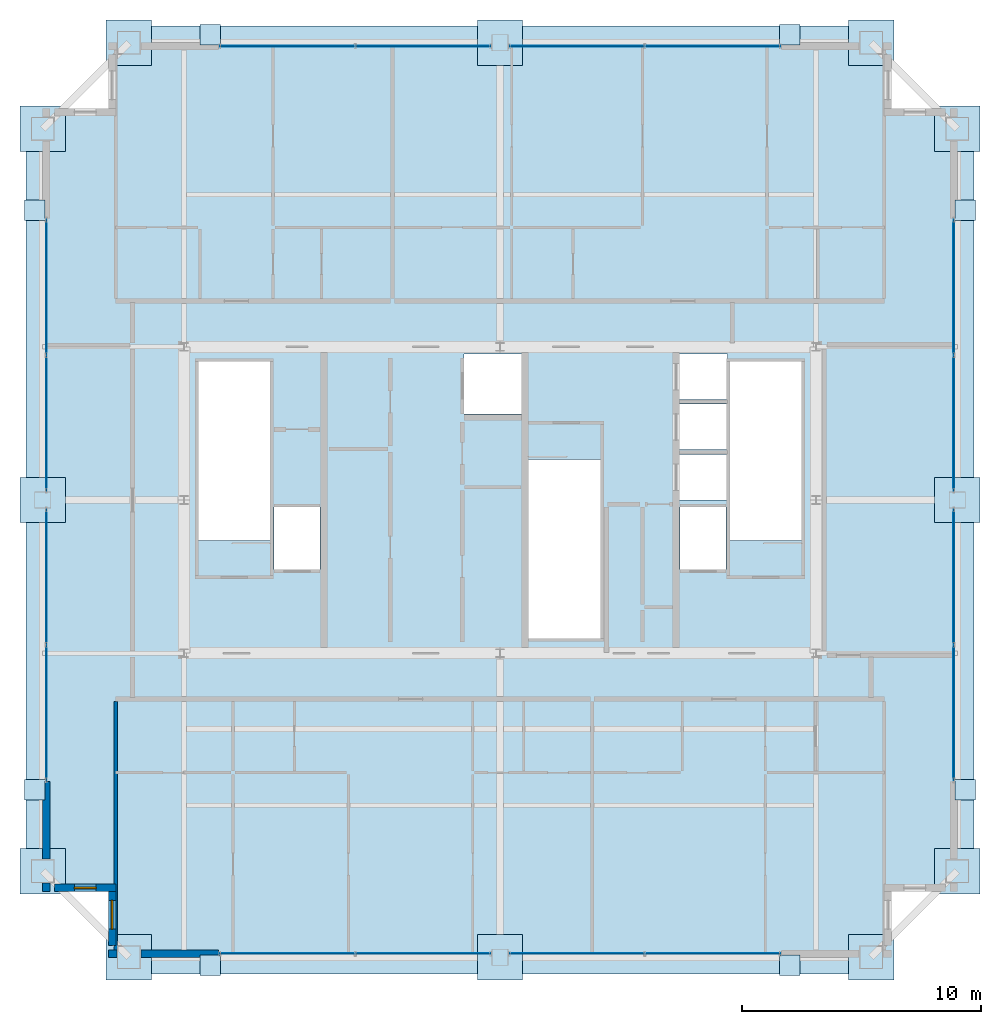
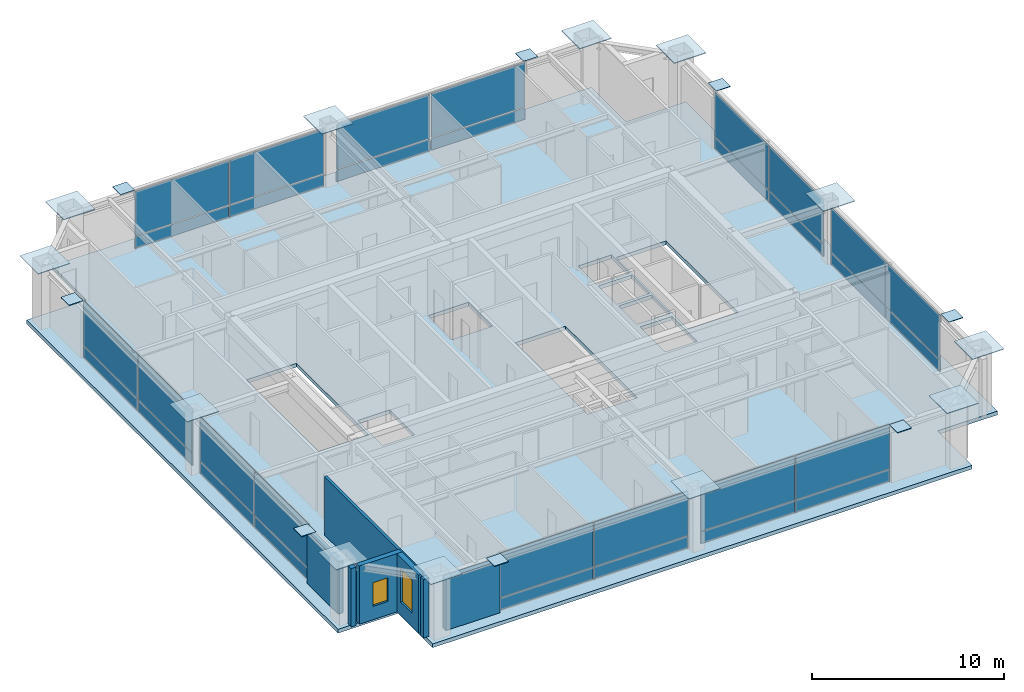
# One storey, part 29 of 34: 52 plates, 7 walls, 2 windows, 1 slab, 2 openings, 8 elements without a shape of their own.
"""IFC4 building model written with IfcOpenShell, lengths in metres."""

from ifc_helpers import new_model, si_unit, direction, frame, frame_2d, origin, origin_2d, place, context, subcontext, project, spatial, polyline, rectangle, outline, extrude, source, transform, mapped, material, layer, layer_set, type_object, element, fill, aggregate, save


model = new_model("IFC4")

# Units and contexts
model_context = context("Model", 3, precision=1e-05, world=origin(), true_north=direction((0.0, 1.0)))
body_context = subcontext(model_context, "Body", "Model", "MODEL_VIEW")
ifc_project = project(units=[si_unit("LENGTHUNIT", "METRE"), si_unit("AREAUNIT", "SQUARE_METRE"), si_unit("VOLUMEUNIT", "CUBIC_METRE"), si_unit("PLANEANGLEUNIT", "RADIAN"), si_unit("MASSUNIT", "GRAM", prefix="KILO"), si_unit("THERMODYNAMICTEMPERATUREUNIT", "KELVIN"), si_unit("POWERUNIT", "WATT")], contexts=[model_context])

# Site, building, storey
site_placement = place(None, origin())
site = spatial("IfcSite", under=ifc_project, at=site_placement, CompositionType="ELEMENT")
building_placement = place(site_placement, origin())
building = spatial("IfcBuilding", under=site, at=building_placement, Name="Yuzanri Waterfront Tower", CompositionType="ELEMENT")
storey_placement = place(building_placement, frame((0.0, 0.0, 347.199951171875)))
storey = spatial("IfcBuildingStorey", under=building, at=storey_placement, Name="L93", CompositionType="ELEMENT", Elevation=347.199951171875)

# Slab
ifc_material_1 = material(Name="Concrete C40", Category="concrete")
ifc_layer_1 = layer(ifc_material_1, 0.239990234375)
ifc_layer_set_1 = layer_set([ifc_layer_1], Name="Concrete C40")
slab_type = type_object("IfcSlabType", Name="Concrete C40 Penthouse Acoustic Structural Floor Slab 240", PredefinedType="FLOOR", material=ifc_layer_set_1)
slab_placement = place(storey_placement, frame((0.0, 0.0, -0.239990234375)))
element("IfcSlab", 1, at=slab_placement, inside=storey, type_object=slab_type, Name="L93 Main Structural Floor Slab", PredefinedType="FLOOR", context=body_context, shape_type="SweptSolid", body=[
    extrude(outline(polyline([(20.800048828125, 6.0), (53.199951171875, 6.0), (53.199951171875, 9.60009765625), (56.800048828125, 9.60009765625), (56.800048828125, 42.0), (53.199951171875, 42.0), (53.199951171875, 45.60009765625), (20.800048828125, 45.60009765625), (20.800048828125, 42.0), (17.199951171875, 42.0), (17.199951171875, 9.60009765625), (20.800048828125, 9.60009765625), (20.800048828125, 6.0)]), holes=[polyline([(27.39990234375, 24.10009765625), (27.39990234375, 31.580078125), (24.39990234375, 31.580078125), (24.39990234375, 24.10009765625), (27.39990234375, 24.10009765625)]), polyline([(49.60009765625, 24.10009765625), (49.60009765625, 31.580078125), (46.60009765625, 31.580078125), (46.60009765625, 24.10009765625), (49.60009765625, 24.10009765625)]), polyline([(38.199951171875, 27.5), (38.199951171875, 20.02001953125), (41.199951171875, 20.02001953125), (41.199951171875, 27.5), (38.199951171875, 27.5)]), polyline([(27.56005859375, 22.89990234375), (29.47998046875, 22.89990234375), (29.47998046875, 25.5), (27.56005859375, 25.5), (27.56005859375, 22.89990234375)]), polyline([(44.52001953125, 22.89990234375), (46.43994140625, 22.89990234375), (46.43994140625, 25.5), (44.52001953125, 25.5), (44.52001953125, 22.89990234375)]), polyline([(35.5, 29.39990234375), (37.89990234375, 29.39990234375), (37.89990234375, 31.89990234375), (35.5, 31.89990234375), (35.5, 29.39990234375)]), polyline([(44.5, 25.800048828125), (46.5, 25.800048828125), (46.5, 27.699951171875), (44.5, 27.699951171875), (44.5, 25.800048828125)]), polyline([(44.5, 27.89990234375), (46.5, 27.89990234375), (46.5, 29.800048828125), (44.5, 29.800048828125), (44.5, 27.89990234375)]), polyline([(44.5, 30.0), (46.5, 30.0), (46.5, 31.89990234375), (44.5, 31.89990234375), (44.5, 30.0)])]), origin(), (0.0, 0.0, 1.0), 0.239990234375),
])

# Plates
ifc_material_2 = material(Name="Steel Q420GJC", Category="steel")
ifc_layer_2 = layer(ifc_material_2, 0.044921875)
ifc_layer_set_2 = layer_set([ifc_layer_2], Name="Steel Q420GJC")
plate_type_1 = type_object("IfcPlateType", Name="Steel Q420GJC Setback Column-Transfer Diaphragm Cap Plate 45", PredefinedType="SHEET", material=ifc_layer_set_2)
shared_shape_1 = source(origin(), body_context, "Body", "SweptSolid", [
    extrude(rectangle(XDim=1.89990234375, YDim=1.89990234375, at=origin_2d()), origin(), (0.0, 0.0, 1.0), 0.044921875),
])
for number, where, z_axis, x_axis, name in (
    (2, (21.5, 6.699951171875, 3.9775390625), (0.0, 0.0, 1.0), (1.0, 0.0, 0.0), "L93 Column Top Closure Plate S1"),
    (3, (37.0, 6.699951171875, 3.9775390625), (0.0, 0.0, 1.0), (1.0, 0.0, 0.0), "L93 Column Top Closure Plate S2"),
    (4, (52.5, 6.699951171875, 3.9775390625), (0.0, 0.0, 1.0), (1.0, 0.0, 0.0), "L93 Column Top Closure Plate S3"),
    (5, (21.5, 44.89990234375, 3.9775390625), (0.0, 0.0, 1.0), (1.0, 0.0, 0.0), "L93 Column Top Closure Plate N1"),
    (6, (37.0, 44.89990234375, 3.9775390625), (0.0, 0.0, 1.0), (1.0, 0.0, 0.0), "L93 Column Top Closure Plate N2"),
    (7, (52.5, 44.89990234375, 3.9775390625), (0.0, 0.0, 1.0), (1.0, 0.0, 0.0), "L93 Column Top Closure Plate N3"),
    (8, (17.89990234375, 10.300048828125, 3.9775390625), (0.0, 0.0, 1.0), (1.0, 0.0, 0.0), "L93 Column Top Closure Plate W1"),
    (9, (17.89990234375, 25.800048828125, 3.9775390625), (0.0, 0.0, 1.0), (1.0, 0.0, 0.0), "L93 Column Top Closure Plate W2"),
    (10, (17.89990234375, 41.300048828125, 3.9775390625), (0.0, 0.0, 1.0), (1.0, 0.0, 0.0), "L93 Column Top Closure Plate W3"),
    (11, (56.10009765625, 10.300048828125, 3.9775390625), (0.0, 0.0, 1.0), (1.0, 0.0, 0.0), "L93 Column Top Closure Plate E1"),
    (12, (56.10009765625, 25.800048828125, 3.9775390625), (0.0, 0.0, 1.0), (1.0, 0.0, 0.0), "L93 Column Top Closure Plate E2"),
    (13, (56.10009765625, 41.300048828125, 3.9775390625), (0.0, 0.0, 1.0), (1.0, 0.0, 0.0), "L93 Column Top Closure Plate E3"),
):
    element("IfcPlate", number, at=place(storey_placement, frame(where, z_axis=z_axis, x_axis=x_axis)), inside=storey, type_object=plate_type_1, Name=name, PredefinedType="SHEET", context=body_context, shape_type="MappedRepresentation", body=[
        mapped(shared_shape_1, transform((0.0, 0.0, 0.0), scale=1.0)),
    ])
ifc_material_3 = material(Name="Steel Q420GJC", Category="steel")
ifc_layer_3 = layer(ifc_material_3, 0.0400390625)
ifc_layer_set_3 = layer_set([ifc_layer_3], Name="Steel Q420GJC")
plate_type_2 = type_object("IfcPlateType", Name="Steel Q420GJC Mega-Brace Gusset and End-Cap Plate 40", PredefinedType="SHEET", material=ifc_layer_set_3)
shared_shape_2 = source(origin(), body_context, "Body", "SweptSolid", [
    extrude(rectangle(XDim=0.85009765625, YDim=0.85009765625, at=origin_2d()), origin(), (0.0, 0.0, 1.0), 0.0400390625),
])
for number, where, z_axis, x_axis, name in (
    (14, (24.89990234375, 6.360107421875, 3.659912109375), (0.0, 0.0, 1.0), (1.0, 0.0, 0.0), "L93 Mega-Brace Apex Cap Plate S-L"),
    (15, (49.10009765625, 6.360107421875, 3.659912109375), (0.0, 0.0, 1.0), (1.0, 0.0, 0.0), "L93 Mega-Brace Apex Cap Plate S-R"),
    (16, (24.89990234375, 45.239990234375, 3.659912109375), (0.0, 0.0, 1.0), (1.0, 0.0, 0.0), "L93 Mega-Brace Apex Cap Plate N-L"),
    (17, (49.10009765625, 45.239990234375, 3.659912109375), (0.0, 0.0, 1.0), (1.0, 0.0, 0.0), "L93 Mega-Brace Apex Cap Plate N-R"),
    (18, (17.56005859375, 13.699951171875, 3.659912109375), (0.0, 0.0, 1.0), (1.0, 0.0, 0.0), "L93 Mega-Brace Apex Cap Plate W-L"),
    (19, (17.56005859375, 37.89990234375, 3.659912109375), (0.0, 0.0, 1.0), (1.0, 0.0, 0.0), "L93 Mega-Brace Apex Cap Plate W-R"),
    (20, (56.43994140625, 13.699951171875, 3.659912109375), (0.0, 0.0, 1.0), (1.0, 0.0, 0.0), "L93 Mega-Brace Apex Cap Plate E-L"),
    (21, (56.43994140625, 37.89990234375, 3.659912109375), (0.0, 0.0, 1.0), (1.0, 0.0, 0.0), "L93 Mega-Brace Apex Cap Plate E-R"),
):
    element("IfcPlate", number, at=place(storey_placement, frame(where, z_axis=z_axis, x_axis=x_axis)), inside=storey, type_object=plate_type_2, Name=name, PredefinedType="SHEET", context=body_context, shape_type="MappedRepresentation", body=[
        mapped(shared_shape_2, transform((0.0, 0.0, 0.0), scale=1.0)),
    ])

# Curtain wall, plates
ifc_material_4 = material(Name="Anodized Architectural Bronze", Category="metal")
ifc_layer_4 = layer(ifc_material_4, 0.159912109375)
ifc_layer_set_4 = layer_set([ifc_layer_4], Name="Anodized Architectural Bronze")
curtain_wall_type = type_object("IfcCurtainWallType", Name="Anodized Bronze High-Rise Penthouse High-Wind Unitized Curtain Wall 6900", PredefinedType="NOTDEFINED", material=ifc_layer_set_4)
curtain_wall_1_placement = place(storey_placement, origin())
curtain_wall_1 = element("IfcCurtainWall", 22, at=curtain_wall_1_placement, inside=storey, type_object=curtain_wall_type, Name="L93 Curtain Wall CW-L93-SL", PredefinedType="NOTDEFINED")
ifc_material_5 = material(Name="Anodized Architectural Bronze", Category="metal")
ifc_layer_5 = layer(ifc_material_5, 0.028076171875)
ifc_layer_set_5 = layer_set([ifc_layer_5], Name="Anodized Architectural Bronze")
plate_type_3 = type_object("IfcPlateType", Name="Bronze Insulated Spandrel Shadow-Box Panel 28", PredefinedType="CURTAIN_PANEL", material=ifc_layer_set_5)
shared_shape_3 = source(origin(), body_context, "Body", "SweptSolid", [
    extrude(rectangle(XDim=5.6201171875, YDim=0.028076171875, at=origin_2d()), origin(), (0.0, 0.0, 1.0), 0.739990234375),
])
plate_1_placement = place(storey_placement, frame((28.10009765625, 6.85009765625, 0.05029296875), z_axis=(0.0, 0.0, 1.0), x_axis=(1.0, 0.0, 0.0)))
plate_1 = element("IfcPlate", 23, at=plate_1_placement, type_object=plate_type_3, Name="CW-L93-SL Spandrel Panel 01", PredefinedType="CURTAIN_PANEL", context=body_context, shape_type="MappedRepresentation", body=[
    mapped(shared_shape_3, transform((0.0, 0.0, 0.0), scale=1.0)),
])
plate_2_placement = place(storey_placement, frame((33.800048828125, 6.85009765625, 0.05029296875), z_axis=(0.0, 0.0, 1.0), x_axis=(1.0, 0.0, 0.0)))
plate_2 = element("IfcPlate", 24, at=plate_2_placement, type_object=plate_type_3, Name="CW-L93-SL Spandrel Panel 02", PredefinedType="CURTAIN_PANEL", context=body_context, shape_type="MappedRepresentation", body=[
    mapped(shared_shape_3, transform((0.0, 0.0, 0.0), scale=1.0)),
])

curtain_wall_2_placement = place(storey_placement, origin())
curtain_wall_2 = element("IfcCurtainWall", 25, at=curtain_wall_2_placement, inside=storey, type_object=curtain_wall_type, Name="L93 Curtain Wall CW-L93-SR", PredefinedType="NOTDEFINED")
plate_3_placement = place(storey_placement, frame((40.199951171875, 6.85009765625, 0.05029296875), z_axis=(0.0, 0.0, 1.0), x_axis=(1.0, 0.0, 0.0)))
plate_3 = element("IfcPlate", 26, at=plate_3_placement, type_object=plate_type_3, Name="CW-L93-SR Spandrel Panel 01", PredefinedType="CURTAIN_PANEL", context=body_context, shape_type="MappedRepresentation", body=[
    mapped(shared_shape_3, transform((0.0, 0.0, 0.0), scale=1.0)),
])
plate_4_placement = place(storey_placement, frame((45.89990234375, 6.85009765625, 0.05029296875), z_axis=(0.0, 0.0, 1.0), x_axis=(1.0, 0.0, 0.0)))
plate_4 = element("IfcPlate", 27, at=plate_4_placement, type_object=plate_type_3, Name="CW-L93-SR Spandrel Panel 02", PredefinedType="CURTAIN_PANEL", context=body_context, shape_type="MappedRepresentation", body=[
    mapped(shared_shape_3, transform((0.0, 0.0, 0.0), scale=1.0)),
])

curtain_wall_3_placement = place(storey_placement, origin())
curtain_wall_3 = element("IfcCurtainWall", 28, at=curtain_wall_3_placement, inside=storey, type_object=curtain_wall_type, Name="L93 Curtain Wall CW-L93-NL", PredefinedType="NOTDEFINED")
plate_5_placement = place(storey_placement, frame((28.10009765625, 44.75, 0.05029296875), z_axis=(0.0, 0.0, 1.0), x_axis=(1.0, 0.0, 0.0)))
plate_5 = element("IfcPlate", 29, at=plate_5_placement, type_object=plate_type_3, Name="CW-L93-NL Spandrel Panel 01", PredefinedType="CURTAIN_PANEL", context=body_context, shape_type="MappedRepresentation", body=[
    mapped(shared_shape_3, transform((0.0, 0.0, 0.0), scale=1.0)),
])
plate_6_placement = place(storey_placement, frame((33.800048828125, 44.75, 0.05029296875), z_axis=(0.0, 0.0, 1.0), x_axis=(1.0, 0.0, 0.0)))
plate_6 = element("IfcPlate", 30, at=plate_6_placement, type_object=plate_type_3, Name="CW-L93-NL Spandrel Panel 02", PredefinedType="CURTAIN_PANEL", context=body_context, shape_type="MappedRepresentation", body=[
    mapped(shared_shape_3, transform((0.0, 0.0, 0.0), scale=1.0)),
])

curtain_wall_4_placement = place(storey_placement, origin())
curtain_wall_4 = element("IfcCurtainWall", 31, at=curtain_wall_4_placement, inside=storey, type_object=curtain_wall_type, Name="L93 Curtain Wall CW-L93-NR", PredefinedType="NOTDEFINED")
plate_7_placement = place(storey_placement, frame((40.199951171875, 44.75, 0.05029296875), z_axis=(0.0, 0.0, 1.0), x_axis=(1.0, 0.0, 0.0)))
plate_7 = element("IfcPlate", 32, at=plate_7_placement, type_object=plate_type_3, Name="CW-L93-NR Spandrel Panel 01", PredefinedType="CURTAIN_PANEL", context=body_context, shape_type="MappedRepresentation", body=[
    mapped(shared_shape_3, transform((0.0, 0.0, 0.0), scale=1.0)),
])
plate_8_placement = place(storey_placement, frame((45.89990234375, 44.75, 0.05029296875), z_axis=(0.0, 0.0, 1.0), x_axis=(1.0, 0.0, 0.0)))
plate_8 = element("IfcPlate", 33, at=plate_8_placement, type_object=plate_type_3, Name="CW-L93-NR Spandrel Panel 02", PredefinedType="CURTAIN_PANEL", context=body_context, shape_type="MappedRepresentation", body=[
    mapped(shared_shape_3, transform((0.0, 0.0, 0.0), scale=1.0)),
])

curtain_wall_5_placement = place(storey_placement, origin())
curtain_wall_5 = element("IfcCurtainWall", 34, at=curtain_wall_5_placement, inside=storey, type_object=curtain_wall_type, Name="L93 Curtain Wall CW-L93-WL", PredefinedType="NOTDEFINED")
plate_9_placement = place(storey_placement, frame((18.050048828125, 16.89990234375, 0.05029296875), z_axis=(0.0, 0.0, 1.0), x_axis=(0.0, 1.0, 0.0)))
plate_9 = element("IfcPlate", 35, at=plate_9_placement, type_object=plate_type_3, Name="CW-L93-WL Spandrel Panel 01", PredefinedType="CURTAIN_PANEL", context=body_context, shape_type="MappedRepresentation", body=[
    mapped(shared_shape_3, transform((0.0, 0.0, 0.0), scale=1.0)),
])
plate_10_placement = place(storey_placement, frame((18.050048828125, 22.60009765625, 0.05029296875), z_axis=(0.0, 0.0, 1.0), x_axis=(0.0, 1.0, 0.0)))
plate_10 = element("IfcPlate", 36, at=plate_10_placement, type_object=plate_type_3, Name="CW-L93-WL Spandrel Panel 02", PredefinedType="CURTAIN_PANEL", context=body_context, shape_type="MappedRepresentation", body=[
    mapped(shared_shape_3, transform((0.0, 0.0, 0.0), scale=1.0)),
])

curtain_wall_6_placement = place(storey_placement, origin())
curtain_wall_6 = element("IfcCurtainWall", 37, at=curtain_wall_6_placement, inside=storey, type_object=curtain_wall_type, Name="L93 Curtain Wall CW-L93-WR", PredefinedType="NOTDEFINED")
plate_11_placement = place(storey_placement, frame((18.050048828125, 29.0, 0.05029296875), z_axis=(0.0, 0.0, 1.0), x_axis=(0.0, 1.0, 0.0)))
plate_11 = element("IfcPlate", 38, at=plate_11_placement, type_object=plate_type_3, Name="CW-L93-WR Spandrel Panel 01", PredefinedType="CURTAIN_PANEL", context=body_context, shape_type="MappedRepresentation", body=[
    mapped(shared_shape_3, transform((0.0, 0.0, 0.0), scale=1.0)),
])
plate_12_placement = place(storey_placement, frame((18.050048828125, 34.699951171875, 0.05029296875), z_axis=(0.0, 0.0, 1.0), x_axis=(0.0, 1.0, 0.0)))
plate_12 = element("IfcPlate", 39, at=plate_12_placement, type_object=plate_type_3, Name="CW-L93-WR Spandrel Panel 02", PredefinedType="CURTAIN_PANEL", context=body_context, shape_type="MappedRepresentation", body=[
    mapped(shared_shape_3, transform((0.0, 0.0, 0.0), scale=1.0)),
])

curtain_wall_7_placement = place(storey_placement, origin())
curtain_wall_7 = element("IfcCurtainWall", 40, at=curtain_wall_7_placement, inside=storey, type_object=curtain_wall_type, Name="L93 Curtain Wall CW-L93-EL", PredefinedType="NOTDEFINED")
plate_13_placement = place(storey_placement, frame((55.949951171875, 16.89990234375, 0.05029296875), z_axis=(0.0, 0.0, 1.0), x_axis=(0.0, 1.0, 0.0)))
plate_13 = element("IfcPlate", 41, at=plate_13_placement, type_object=plate_type_3, Name="CW-L93-EL Spandrel Panel 01", PredefinedType="CURTAIN_PANEL", context=body_context, shape_type="MappedRepresentation", body=[
    mapped(shared_shape_3, transform((0.0, 0.0, 0.0), scale=1.0)),
])
plate_14_placement = place(storey_placement, frame((55.949951171875, 22.60009765625, 0.05029296875), z_axis=(0.0, 0.0, 1.0), x_axis=(0.0, 1.0, 0.0)))
plate_14 = element("IfcPlate", 42, at=plate_14_placement, type_object=plate_type_3, Name="CW-L93-EL Spandrel Panel 02", PredefinedType="CURTAIN_PANEL", context=body_context, shape_type="MappedRepresentation", body=[
    mapped(shared_shape_3, transform((0.0, 0.0, 0.0), scale=1.0)),
])

curtain_wall_8_placement = place(storey_placement, origin())
curtain_wall_8 = element("IfcCurtainWall", 43, at=curtain_wall_8_placement, inside=storey, type_object=curtain_wall_type, Name="L93 Curtain Wall CW-L93-ER", PredefinedType="NOTDEFINED")
plate_15_placement = place(storey_placement, frame((55.949951171875, 29.0, 0.05029296875), z_axis=(0.0, 0.0, 1.0), x_axis=(0.0, 1.0, 0.0)))
plate_15 = element("IfcPlate", 44, at=plate_15_placement, type_object=plate_type_3, Name="CW-L93-ER Spandrel Panel 01", PredefinedType="CURTAIN_PANEL", context=body_context, shape_type="MappedRepresentation", body=[
    mapped(shared_shape_3, transform((0.0, 0.0, 0.0), scale=1.0)),
])
plate_16_placement = place(storey_placement, frame((55.949951171875, 34.699951171875, 0.05029296875), z_axis=(0.0, 0.0, 1.0), x_axis=(0.0, 1.0, 0.0)))
plate_16 = element("IfcPlate", 45, at=plate_16_placement, type_object=plate_type_3, Name="CW-L93-ER Spandrel Panel 02", PredefinedType="CURTAIN_PANEL", context=body_context, shape_type="MappedRepresentation", body=[
    mapped(shared_shape_3, transform((0.0, 0.0, 0.0), scale=1.0)),
])

# Plate
ifc_material_6 = material(Name="Triple Low-E Laminated Insulated Glass", Category="glass")
ifc_layer_6 = layer(ifc_material_6, 0.0439453125)
ifc_layer_set_6 = layer_set([ifc_layer_6], Name="Triple Low-E Laminated Insulated Glass")
plate_type_4 = type_object("IfcPlateType", Name="Triple Glazed Acoustic Vision Glass Panel 44", PredefinedType="CURTAIN_PANEL", material=ifc_layer_set_6)
shared_shape_4 = source(origin(), body_context, "Body", "SweptSolid", [
    extrude(rectangle(XDim=5.6201171875, YDim=0.0439453125, at=origin_2d()), origin(), (0.0, 0.0, 1.0), 2.800048828125),
])
plate_17_placement = place(storey_placement, frame((28.10009765625, 6.85009765625, 0.85009765625), z_axis=(0.0, 0.0, 1.0), x_axis=(1.0, 0.0, 0.0)))
plate_17 = element("IfcPlate", 46, at=plate_17_placement, type_object=plate_type_4, Name="CW-L93-SL Vision Glass Panel 01", PredefinedType="CURTAIN_PANEL", context=body_context, shape_type="MappedRepresentation", body=[
    mapped(shared_shape_4, transform((0.0, 0.0, 0.0), scale=1.0)),
])

plate_18_placement = place(storey_placement, frame((33.800048828125, 6.85009765625, 0.85009765625), z_axis=(0.0, 0.0, 1.0), x_axis=(1.0, 0.0, 0.0)))
plate_18 = element("IfcPlate", 47, at=plate_18_placement, type_object=plate_type_4, Name="CW-L93-SL Vision Glass Panel 02", PredefinedType="CURTAIN_PANEL", context=body_context, shape_type="MappedRepresentation", body=[
    mapped(shared_shape_4, transform((0.0, 0.0, 0.0), scale=1.0)),
])

aggregate(curtain_wall_1, [plate_1, plate_17, plate_2, plate_18])

plate_19_placement = place(storey_placement, frame((40.199951171875, 6.85009765625, 0.85009765625), z_axis=(0.0, 0.0, 1.0), x_axis=(1.0, 0.0, 0.0)))
plate_19 = element("IfcPlate", 48, at=plate_19_placement, type_object=plate_type_4, Name="CW-L93-SR Vision Glass Panel 01", PredefinedType="CURTAIN_PANEL", context=body_context, shape_type="MappedRepresentation", body=[
    mapped(shared_shape_4, transform((0.0, 0.0, 0.0), scale=1.0)),
])

plate_20_placement = place(storey_placement, frame((45.89990234375, 6.85009765625, 0.85009765625), z_axis=(0.0, 0.0, 1.0), x_axis=(1.0, 0.0, 0.0)))
plate_20 = element("IfcPlate", 49, at=plate_20_placement, type_object=plate_type_4, Name="CW-L93-SR Vision Glass Panel 02", PredefinedType="CURTAIN_PANEL", context=body_context, shape_type="MappedRepresentation", body=[
    mapped(shared_shape_4, transform((0.0, 0.0, 0.0), scale=1.0)),
])

aggregate(curtain_wall_2, [plate_3, plate_19, plate_4, plate_20])

plate_21_placement = place(storey_placement, frame((28.10009765625, 44.75, 0.85009765625), z_axis=(0.0, 0.0, 1.0), x_axis=(1.0, 0.0, 0.0)))
plate_21 = element("IfcPlate", 50, at=plate_21_placement, type_object=plate_type_4, Name="CW-L93-NL Vision Glass Panel 01", PredefinedType="CURTAIN_PANEL", context=body_context, shape_type="MappedRepresentation", body=[
    mapped(shared_shape_4, transform((0.0, 0.0, 0.0), scale=1.0)),
])

plate_22_placement = place(storey_placement, frame((33.800048828125, 44.75, 0.85009765625), z_axis=(0.0, 0.0, 1.0), x_axis=(1.0, 0.0, 0.0)))
plate_22 = element("IfcPlate", 51, at=plate_22_placement, type_object=plate_type_4, Name="CW-L93-NL Vision Glass Panel 02", PredefinedType="CURTAIN_PANEL", context=body_context, shape_type="MappedRepresentation", body=[
    mapped(shared_shape_4, transform((0.0, 0.0, 0.0), scale=1.0)),
])

aggregate(curtain_wall_3, [plate_5, plate_21, plate_6, plate_22])

plate_23_placement = place(storey_placement, frame((40.199951171875, 44.75, 0.85009765625), z_axis=(0.0, 0.0, 1.0), x_axis=(1.0, 0.0, 0.0)))
plate_23 = element("IfcPlate", 52, at=plate_23_placement, type_object=plate_type_4, Name="CW-L93-NR Vision Glass Panel 01", PredefinedType="CURTAIN_PANEL", context=body_context, shape_type="MappedRepresentation", body=[
    mapped(shared_shape_4, transform((0.0, 0.0, 0.0), scale=1.0)),
])

plate_24_placement = place(storey_placement, frame((45.89990234375, 44.75, 0.85009765625), z_axis=(0.0, 0.0, 1.0), x_axis=(1.0, 0.0, 0.0)))
plate_24 = element("IfcPlate", 53, at=plate_24_placement, type_object=plate_type_4, Name="CW-L93-NR Vision Glass Panel 02", PredefinedType="CURTAIN_PANEL", context=body_context, shape_type="MappedRepresentation", body=[
    mapped(shared_shape_4, transform((0.0, 0.0, 0.0), scale=1.0)),
])

aggregate(curtain_wall_4, [plate_7, plate_23, plate_8, plate_24])

plate_25_placement = place(storey_placement, frame((18.050048828125, 16.89990234375, 0.85009765625), z_axis=(0.0, 0.0, 1.0), x_axis=(0.0, 1.0, 0.0)))
plate_25 = element("IfcPlate", 54, at=plate_25_placement, type_object=plate_type_4, Name="CW-L93-WL Vision Glass Panel 01", PredefinedType="CURTAIN_PANEL", context=body_context, shape_type="MappedRepresentation", body=[
    mapped(shared_shape_4, transform((0.0, 0.0, 0.0), scale=1.0)),
])

plate_26_placement = place(storey_placement, frame((18.050048828125, 22.60009765625, 0.85009765625), z_axis=(0.0, 0.0, 1.0), x_axis=(0.0, 1.0, 0.0)))
plate_26 = element("IfcPlate", 55, at=plate_26_placement, type_object=plate_type_4, Name="CW-L93-WL Vision Glass Panel 02", PredefinedType="CURTAIN_PANEL", context=body_context, shape_type="MappedRepresentation", body=[
    mapped(shared_shape_4, transform((0.0, 0.0, 0.0), scale=1.0)),
])

aggregate(curtain_wall_5, [plate_9, plate_25, plate_10, plate_26])

plate_27_placement = place(storey_placement, frame((18.050048828125, 29.0, 0.85009765625), z_axis=(0.0, 0.0, 1.0), x_axis=(0.0, 1.0, 0.0)))
plate_27 = element("IfcPlate", 56, at=plate_27_placement, type_object=plate_type_4, Name="CW-L93-WR Vision Glass Panel 01", PredefinedType="CURTAIN_PANEL", context=body_context, shape_type="MappedRepresentation", body=[
    mapped(shared_shape_4, transform((0.0, 0.0, 0.0), scale=1.0)),
])

plate_28_placement = place(storey_placement, frame((18.050048828125, 34.699951171875, 0.85009765625), z_axis=(0.0, 0.0, 1.0), x_axis=(0.0, 1.0, 0.0)))
plate_28 = element("IfcPlate", 57, at=plate_28_placement, type_object=plate_type_4, Name="CW-L93-WR Vision Glass Panel 02", PredefinedType="CURTAIN_PANEL", context=body_context, shape_type="MappedRepresentation", body=[
    mapped(shared_shape_4, transform((0.0, 0.0, 0.0), scale=1.0)),
])

aggregate(curtain_wall_6, [plate_11, plate_27, plate_12, plate_28])

plate_29_placement = place(storey_placement, frame((55.949951171875, 16.89990234375, 0.85009765625), z_axis=(0.0, 0.0, 1.0), x_axis=(0.0, 1.0, 0.0)))
plate_29 = element("IfcPlate", 58, at=plate_29_placement, type_object=plate_type_4, Name="CW-L93-EL Vision Glass Panel 01", PredefinedType="CURTAIN_PANEL", context=body_context, shape_type="MappedRepresentation", body=[
    mapped(shared_shape_4, transform((0.0, 0.0, 0.0), scale=1.0)),
])

plate_30_placement = place(storey_placement, frame((55.949951171875, 22.60009765625, 0.85009765625), z_axis=(0.0, 0.0, 1.0), x_axis=(0.0, 1.0, 0.0)))
plate_30 = element("IfcPlate", 59, at=plate_30_placement, type_object=plate_type_4, Name="CW-L93-EL Vision Glass Panel 02", PredefinedType="CURTAIN_PANEL", context=body_context, shape_type="MappedRepresentation", body=[
    mapped(shared_shape_4, transform((0.0, 0.0, 0.0), scale=1.0)),
])

aggregate(curtain_wall_7, [plate_13, plate_29, plate_14, plate_30])

plate_31_placement = place(storey_placement, frame((55.949951171875, 29.0, 0.85009765625), z_axis=(0.0, 0.0, 1.0), x_axis=(0.0, 1.0, 0.0)))
plate_31 = element("IfcPlate", 60, at=plate_31_placement, type_object=plate_type_4, Name="CW-L93-ER Vision Glass Panel 01", PredefinedType="CURTAIN_PANEL", context=body_context, shape_type="MappedRepresentation", body=[
    mapped(shared_shape_4, transform((0.0, 0.0, 0.0), scale=1.0)),
])

plate_32_placement = place(storey_placement, frame((55.949951171875, 34.699951171875, 0.85009765625), z_axis=(0.0, 0.0, 1.0), x_axis=(0.0, 1.0, 0.0)))
plate_32 = element("IfcPlate", 61, at=plate_32_placement, type_object=plate_type_4, Name="CW-L93-ER Vision Glass Panel 02", PredefinedType="CURTAIN_PANEL", context=body_context, shape_type="MappedRepresentation", body=[
    mapped(shared_shape_4, transform((0.0, 0.0, 0.0), scale=1.0)),
])

aggregate(curtain_wall_8, [plate_15, plate_31, plate_16, plate_32])

# Wall, opening, window
ifc_material_7 = material(Name="Honed Chongqing Dark Basalt Stone", Category="masonry")
ifc_layer_7 = layer(ifc_material_7, 0.300048828125)
ifc_layer_set_7 = layer_set([ifc_layer_7], Name="Honed Chongqing Dark Basalt Stone")
wall_type_1 = type_object("IfcWallType", Name="Bronze Rainscreen Insulated Spandrel Portal Wall 300", PredefinedType="SOLIDWALL", material=ifc_layer_set_7)
wall_1_placement = place(storey_placement, frame((18.39990234375, 9.60009765625, 0.0), z_axis=(0.0, 0.0, 1.0), x_axis=(1.0, 0.0, 0.0)))
wall_1 = element("IfcWall", 62, at=wall_1_placement, inside=storey, type_object=wall_type_1, Name="L93 Notched Corner Masonry Wall SW-X", PredefinedType="SOLIDWALL", context=body_context, shape_type="SweptSolid", body=[
    extrude(rectangle(XDim=2.550048828125, YDim=0.300048828125, at=frame_2d((1.27490234375, 0.0))), origin(), (0.0, 0.0, 1.0), 3.699951171875),
])
opening_1_placement = place(wall_1_placement, frame((0.824951171875, 0.0, 0.85009765625)))
opening_1 = element("IfcOpeningElement", 63, at=opening_1_placement, cuts=wall_1, Name="Opening WN-05", PredefinedType="OPENING", context=body_context, shape_type="SweptSolid", body=[
    extrude(rectangle(XDim=0.89990234375, YDim=1.5, at=frame_2d((0.449951171875, 0.75))), frame((0.0, 0.1650390625, 0.0), z_axis=(0.0, -1.0, 0.0), x_axis=(1.0, 0.0, 0.0)), (0.0, 0.0, 1.0), 0.329833984375),
])
ifc_material_8 = material(Name="Double-Silver Low-E Insulated Glass", Category="glass")
window_type_1 = type_object("IfcWindowType", Name="Anodized Bronze Service and Stairwell Smoke-Vent Window 900x1500", PartitioningType="SINGLE_PANEL", PredefinedType="WINDOW", material=ifc_material_8)
shared_shape_5 = source(origin(), body_context, "Body", "SweptSolid", [
    extrude(rectangle(XDim=0.89990234375, YDim=1.5, at=frame_2d((0.449951171875, 0.75))), frame((0.0, 0.030029296875, 0.0), z_axis=(0.0, -1.0, 0.0), x_axis=(1.0, 0.0, 0.0)), (0.0, 0.0, 1.0), 0.06005859375),
])
window_1_placement = place(opening_1_placement, origin())
window_1 = element("IfcWindow", 64, at=window_1_placement, inside=storey, type_object=window_type_1, Name="L93 Notched Corner Window SW-X", OverallHeight=1.5, OverallWidth=0.89990234375, PartitioningType="SINGLE_PANEL", PredefinedType="WINDOW", context=body_context, shape_type="MappedRepresentation", body=[
    mapped(shared_shape_5, transform((0.0, 0.0, 0.0), scale=1.0)),
])
fill(opening_1, window_1)

wall_2_placement = place(storey_placement, frame((20.800048828125, 9.75, 0.0), z_axis=(0.0, 0.0, 1.0), x_axis=(0.0, -1.0, 0.0)))
wall_2 = element("IfcWall", 65, at=wall_2_placement, inside=storey, type_object=wall_type_1, Name="L93 Notched Corner Masonry Wall SW-Y", PredefinedType="SOLIDWALL", context=body_context, shape_type="SweptSolid", body=[
    extrude(rectangle(XDim=2.550048828125, YDim=0.300048828125, at=frame_2d((1.27490234375, 0.0))), origin(), (0.0, 0.0, 1.0), 3.699951171875),
])
opening_2_placement = place(wall_2_placement, frame((0.675048828125, 0.0, 0.85009765625)))
opening_2 = element("IfcOpeningElement", 66, at=opening_2_placement, cuts=wall_2, Name="Opening WN-02", PredefinedType="OPENING", context=body_context, shape_type="SweptSolid", body=[
    extrude(rectangle(XDim=1.199951171875, YDim=2.10009765625, at=frame_2d((0.60009765625, 1.050048828125))), frame((0.0, 0.1650390625, 0.0), z_axis=(0.0, -1.0, 0.0), x_axis=(1.0, 0.0, 0.0)), (0.0, 0.0, 1.0), 0.329833984375),
])
ifc_material_9 = material(Name="Double-Silver Low-E Insulated Glass", Category="glass")
window_type_2 = type_object("IfcWindowType", Name="Anodized Bronze Notched Corner Deep-Set Slot Window 1200x2100", PartitioningType="SINGLE_PANEL", PredefinedType="WINDOW", material=ifc_material_9)
shared_shape_6 = source(origin(), body_context, "Body", "SweptSolid", [
    extrude(rectangle(XDim=1.199951171875, YDim=2.10009765625, at=frame_2d((0.60009765625, 1.050048828125))), frame((0.0, 0.030029296875, 0.0), z_axis=(0.0, -1.0, 0.0), x_axis=(1.0, 0.0, 0.0)), (0.0, 0.0, 1.0), 0.06005859375),
])
window_2_placement = place(opening_2_placement, origin())
window_2 = element("IfcWindow", 67, at=window_2_placement, inside=storey, type_object=window_type_2, Name="L93 Notched Corner Window SW-Y", OverallHeight=2.10009765625, OverallWidth=1.199951171875, PartitioningType="SINGLE_PANEL", PredefinedType="WINDOW", context=body_context, shape_type="MappedRepresentation", body=[
    mapped(shared_shape_6, transform((0.0, 0.0, 0.0), scale=1.0)),
])
fill(opening_2, window_2)

# Walls
shared_shape_7 = source(origin(), body_context, "Body", "SweptSolid", [
    extrude(rectangle(XDim=0.35009765625, YDim=0.300048828125, at=frame_2d((0.175048828125, 0.0))), origin(), (0.0, 0.0, 1.0), 3.699951171875),
])
for number, where, z_axis, x_axis, name in (
    (68, (20.64990234375, 6.85009765625, 0.0), (0.0, 0.0, 1.0), (1.0, 0.0, 0.0), "L93 Corner Column Shoulder Return CSW"),
    (69, (18.050048828125, 9.449951171875, 0.0), (0.0, 0.0, 1.0), (0.0, 1.0, 0.0), "L93 Corner Column Shoulder Return CWS"),
):
    element("IfcWall", number, at=place(storey_placement, frame(where, z_axis=z_axis, x_axis=x_axis)), inside=storey, type_object=wall_type_1, Name=name, PredefinedType="SOLIDWALL", context=body_context, shape_type="MappedRepresentation", body=[
        mapped(shared_shape_7, transform((0.0, 0.0, 0.0), scale=1.0)),
    ])
shared_shape_8 = source(origin(), body_context, "Body", "SweptSolid", [
    extrude(rectangle(XDim=3.25, YDim=0.300048828125, at=frame_2d((1.625, 0.0))), origin(), (0.0, 0.0, 1.0), 3.304931640625),
])
for number, where, z_axis, x_axis, name in (
    (70, (22.0, 6.85009765625, 0.0), (0.0, 0.0, 1.0), (1.0, 0.0, 0.0), "L93 S Left Braced Masonry Shoulder"),
    (71, (18.050048828125, 10.800048828125, 0.0), (0.0, 0.0, 1.0), (0.0, 1.0, 0.0), "L93 W Left Braced Masonry Shoulder"),
):
    element("IfcWall", number, at=place(storey_placement, frame(where, z_axis=z_axis, x_axis=x_axis)), inside=storey, type_object=wall_type_1, Name=name, PredefinedType="SOLIDWALL", context=body_context, shape_type="MappedRepresentation", body=[
        mapped(shared_shape_8, transform((0.0, 0.0, 0.0), scale=1.0)),
    ])
ifc_material_10 = material(Name="Gypsum Fireboard Acoustic Stud Wall", Category="gypsum")
ifc_layer_8 = layer(ifc_material_10, 0.159912109375)
ifc_layer_set_8 = layer_set([ifc_layer_8], Name="Gypsum Fireboard Acoustic Stud Wall")
wall_type_2 = type_object("IfcWallType", Name="Acoustic Suite Demising Partition 160", PredefinedType="PARTITIONING", material=ifc_layer_set_8)
shared_shape_9 = source(origin(), body_context, "Body", "SweptSolid", [
    extrude(rectangle(XDim=10.389892578125, YDim=0.159912109375, at=frame_2d((5.19482421875, 0.0))), origin(), (0.0, 0.0, 1.0), 3.699951171875),
])
wall_3_placement = place(storey_placement, frame((20.949951171875, 7.0, 0.0), z_axis=(0.0, 0.0, 1.0), x_axis=(0.0, 1.0, 0.0)))
element("IfcWall", 72, at=wall_3_placement, inside=storey, type_object=wall_type_2, Name="L93 South Band West End Wall", PredefinedType="PARTITIONING", context=body_context, shape_type="MappedRepresentation", body=[
    mapped(shared_shape_9, transform((0.0, 0.0, 0.0), scale=1.0)),
])

save(model, "model.ifc")
